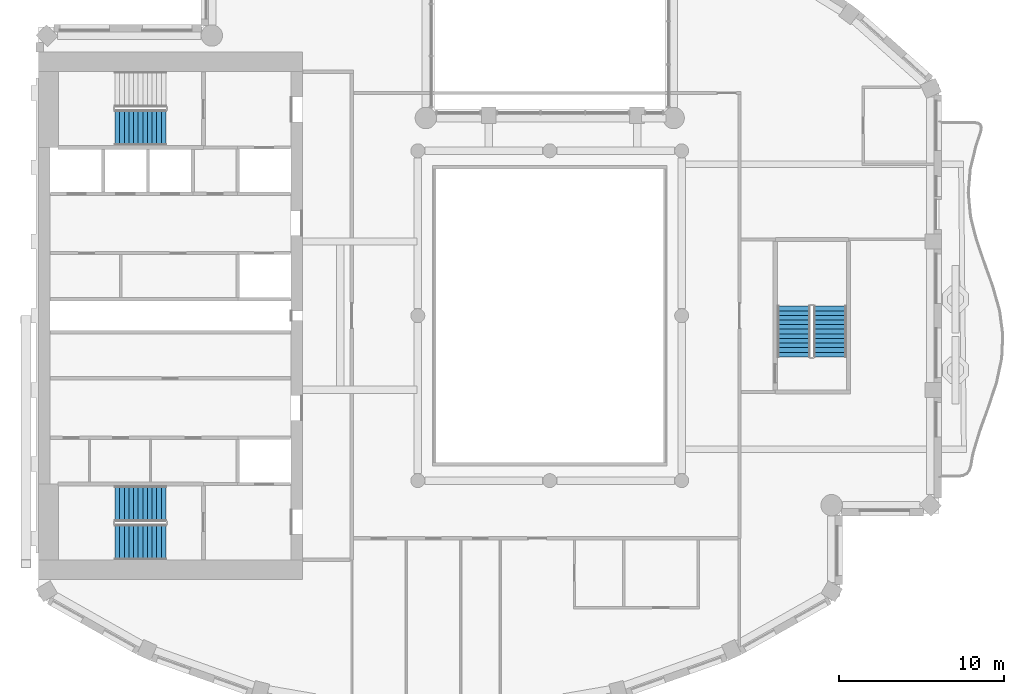
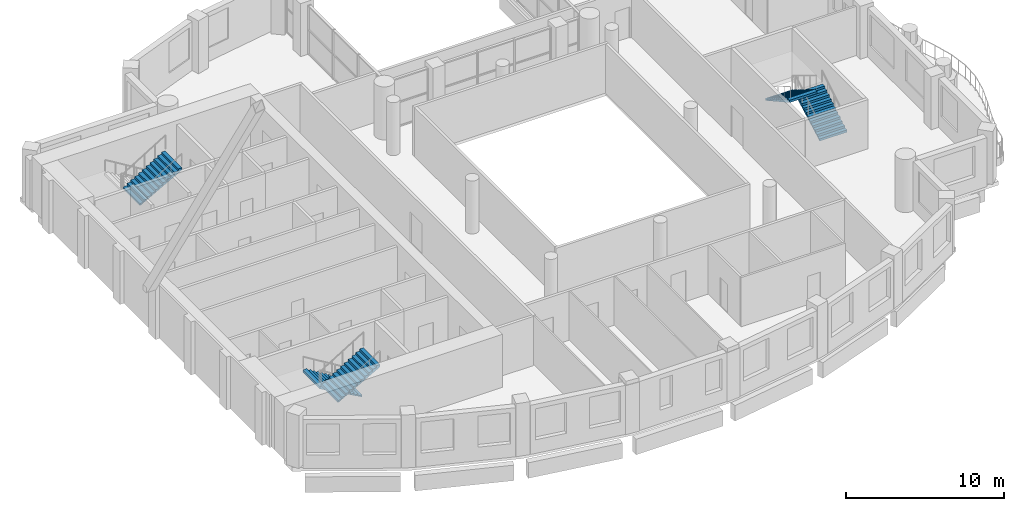
# One storey, part 9 of 15: 5 stair flights, 3 elements without a shape of their own.
"""IFC4 building model written with IfcOpenShell, lengths in metres."""

from ifc_helpers import new_model, si_unit, direction, frame, origin, place, context, subcontext, project, spatial, triangles, material, type_object, element, aggregate, save


model = new_model("IFC4")

# Units and contexts
model_context = context("Model", 3, precision=1e-05, world=origin(), true_north=direction((0.0, 1.0)))
body_context = subcontext(model_context, "Body", "Model", "MODEL_VIEW")
ifc_project = project(units=[si_unit("LENGTHUNIT", "METRE"), si_unit("AREAUNIT", "SQUARE_METRE"), si_unit("VOLUMEUNIT", "CUBIC_METRE"), si_unit("PLANEANGLEUNIT", "RADIAN"), si_unit("MASSUNIT", "GRAM", prefix="KILO")], contexts=[model_context])

# Site, building, storey
site_placement = place(None, origin())
site = spatial("IfcSite", under=ifc_project, at=site_placement, CompositionType="ELEMENT")
building_placement = place(site_placement, origin())
building = spatial("IfcBuilding", under=site, at=building_placement, Name="Cypress Arch Tower", CompositionType="ELEMENT")
storey_placement = place(building_placement, frame((0.0, 0.0, 259.800048828125)))
storey = spatial("IfcBuildingStorey", under=building, at=storey_placement, Name="L58", CompositionType="ELEMENT", Elevation=259.800048828125)

# Stair, stair flights
ifc_material_1 = material(Name="Concrete C40/50", Category="concrete")
stair_type_1 = type_object("IfcStairType", Name="Exit stair ES1708-200", PredefinedType="HALF_TURN_STAIR", material=ifc_material_1)
stair_1_placement = place(storey_placement, origin())
stair_1 = element("IfcStair", 1, at=stair_1_placement, inside=storey, type_object=stair_type_1, Name="L58 Exit stair C", PredefinedType="HALF_TURN_STAIR")
ifc_material_2 = material(Name="Concrete C40/50", Category="concrete")
stair_flight_type_1 = type_object("IfcStairFlightType", Name="Exit stair flight ES1708-200", PredefinedType="STRAIGHT", material=ifc_material_2)
stair_flight_1_placement = place(storey_placement, frame((18.0, -2.5, 0.0), z_axis=(0.0, 0.0, 1.0), x_axis=(0.0, 1.0, 0.0)))
stair_flight_1 = element("IfcStairFlight", 2, at=stair_flight_1_placement, type_object=stair_flight_type_1, Name="C flight 1", NumberOfRisers=12, NumberOfTreads=11, PredefinedType="STRAIGHT", RiserHeight=0.170833333, TreadLength=0.28, context=body_context, shape_type="Tessellation", body=[
    triangles([(0.0, -1.0, 0.0), (0.0, -1.0, 0.1708984375), (0.280029296875, -1.0, 0.1708984375), (0.280029296875, -1.0, 0.341552734375), (0.56005859375, -1.0, 0.341552734375), (0.56005859375, -1.0, 0.512451171875), (0.840087890625, -1.0, 0.512451171875), (0.840087890625, -1.0, 0.683349609375), (1.1201171875, -1.0, 0.683349609375), (1.1201171875, -1.0, 0.854248046875), (1.39990234375, -1.0, 0.854248046875), (1.39990234375, -1.0, 1.02490234375), (1.679931640625, -1.0, 1.02490234375), (1.679931640625, -1.0, 1.19580078125), (1.9599609375, -1.0, 1.19580078125), (1.9599609375, -1.0, 1.36669921875), (2.239990234375, -1.0, 1.36669921875), (2.239990234375, -1.0, 1.53759765625), (2.52001953125, -1.0, 1.53759765625), (2.52001953125, -1.0, 1.708251953125), (2.800048828125, -1.0, 1.708251953125), (2.800048828125, -1.0, 1.879150390625), (3.080078125, -1.0, 1.879150390625), (3.080078125, -1.0, 1.70361328125), (3.080078125, 1.0, 1.70361328125), (3.080078125, 1.0, 1.879150390625), (2.800048828125, 1.0, 1.879150390625), (2.800048828125, 1.0, 1.708251953125), (2.52001953125, 1.0, 1.708251953125), (2.52001953125, 1.0, 1.53759765625), (2.239990234375, 1.0, 1.53759765625), (2.239990234375, 1.0, 1.36669921875), (1.9599609375, 1.0, 1.36669921875), (1.9599609375, 1.0, 1.19580078125), (1.679931640625, 1.0, 1.19580078125), (1.679931640625, 1.0, 1.02490234375), (1.39990234375, 1.0, 1.02490234375), (1.39990234375, 1.0, 0.854248046875), (1.1201171875, 1.0, 0.854248046875), (1.1201171875, 1.0, 0.683349609375), (0.840087890625, 1.0, 0.683349609375), (0.840087890625, 1.0, 0.512451171875), (0.56005859375, 1.0, 0.512451171875), (0.56005859375, 1.0, 0.341552734375), (0.280029296875, 1.0, 0.341552734375), (0.280029296875, 1.0, 0.1708984375), (0.0, 1.0, 0.1708984375), (0.0, 1.0, 0.0), (3.080078125, 0.0, 1.879150390625), (3.080078125, 0.0, 1.70361328125), (2.800048828125, 0.0, 1.879150390625), (2.800048828125, 0.0, 1.708251953125), (2.52001953125, 0.0, 1.708251953125), (2.52001953125, 0.0, 1.53759765625), (2.239990234375, 0.0, 1.53759765625), (2.239990234375, 0.0, 1.36669921875), (1.9599609375, 0.0, 1.36669921875), (1.9599609375, 0.0, 1.19580078125), (1.679931640625, 0.0, 1.19580078125), (1.679931640625, 0.0, 1.02490234375), (1.39990234375, 0.0, 1.02490234375), (1.39990234375, 0.0, 0.854248046875), (1.1201171875, 0.0, 0.854248046875), (1.1201171875, 0.0, 0.683349609375), (0.840087890625, 0.0, 0.683349609375), (0.840087890625, 0.0, 0.512451171875), (0.56005859375, 0.0, 0.512451171875), (0.56005859375, 0.0, 0.341552734375), (0.280029296875, 0.0, 0.341552734375), (0.280029296875, 0.0, 0.1708984375), (0.0, 0.0, 0.1708984375), (0.0, 0.0, 0.0)], [[24, 23, 22], [11, 10, 9], [19, 18, 17], [17, 16, 15], [15, 14, 13], [9, 8, 7], [7, 6, 5], [3, 2, 1], [21, 20, 19], [13, 12, 11], [5, 4, 3], [24, 22, 21], [24, 21, 19], [24, 19, 17], [24, 17, 15], [24, 15, 13], [24, 13, 11], [24, 11, 9], [24, 9, 7], [24, 7, 5], [1, 24, 5], [5, 3, 1], [25, 27, 26], [38, 40, 39], [30, 32, 31], [32, 34, 33], [34, 36, 35], [40, 42, 41], [42, 44, 43], [46, 48, 47], [28, 30, 29], [36, 38, 37], [44, 46, 45], [25, 28, 27], [25, 30, 28], [25, 32, 30], [25, 34, 32], [25, 36, 34], [25, 38, 36], [25, 40, 38], [25, 42, 40], [25, 44, 42], [48, 44, 25], [44, 48, 46], [50, 49, 23], [50, 23, 24], [25, 26, 49], [25, 49, 50], [49, 51, 22], [49, 22, 23], [26, 27, 51], [26, 51, 49], [51, 52, 21], [51, 21, 22], [27, 28, 52], [27, 52, 51], [52, 53, 20], [52, 20, 21], [28, 29, 53], [28, 53, 52], [53, 54, 19], [53, 19, 20], [29, 30, 54], [29, 54, 53], [54, 55, 18], [54, 18, 19], [30, 31, 55], [30, 55, 54], [55, 56, 17], [55, 17, 18], [31, 32, 56], [31, 56, 55], [56, 57, 16], [56, 16, 17], [32, 33, 57], [32, 57, 56], [57, 58, 15], [57, 15, 16], [33, 34, 58], [33, 58, 57], [58, 59, 14], [58, 14, 15], [34, 35, 59], [34, 59, 58], [59, 60, 13], [59, 13, 14], [35, 36, 60], [35, 60, 59], [60, 61, 12], [60, 12, 13], [36, 37, 61], [36, 61, 60], [61, 62, 11], [61, 11, 12], [37, 38, 62], [37, 62, 61], [62, 63, 10], [62, 10, 11], [38, 39, 63], [38, 63, 62], [63, 64, 9], [63, 9, 10], [39, 40, 64], [39, 64, 63], [64, 65, 8], [64, 8, 9], [40, 41, 65], [40, 65, 64], [65, 66, 7], [65, 7, 8], [41, 42, 66], [41, 66, 65], [66, 67, 6], [66, 6, 7], [42, 43, 67], [42, 67, 66], [67, 68, 5], [67, 5, 6], [43, 44, 68], [43, 68, 67], [68, 69, 4], [68, 4, 5], [44, 45, 69], [44, 69, 68], [69, 70, 3], [69, 3, 4], [45, 46, 70], [45, 70, 69], [70, 71, 2], [70, 2, 3], [46, 47, 71], [46, 71, 70], [71, 72, 1], [71, 1, 2], [47, 48, 72], [47, 72, 71], [72, 50, 24], [72, 24, 1], [48, 25, 50], [48, 50, 72]], closed=True),
])
stair_flight_2_placement = place(storey_placement, frame((15.800048828125, 0.580078125, 2.050048828125), z_axis=(0.0, 0.0, 1.0), x_axis=(0.0, -1.0, 0.0)))
stair_flight_2 = element("IfcStairFlight", 3, at=stair_flight_2_placement, type_object=stair_flight_type_1, Name="C flight 2", NumberOfRisers=12, NumberOfTreads=11, PredefinedType="STRAIGHT", RiserHeight=0.170833333, TreadLength=0.28, context=body_context, shape_type="Tessellation", body=[
    triangles([(0.0, -1.0, 0.0), (0.0, -1.0, 0.1708984375), (0.280029296875, -1.0, 0.1708984375), (0.280029296875, -1.0, 0.341552734375), (0.56005859375, -1.0, 0.341552734375), (0.56005859375, -1.0, 0.512451171875), (0.840087890625, -1.0, 0.512451171875), (0.840087890625, -1.0, 0.683349609375), (1.1201171875, -1.0, 0.683349609375), (1.1201171875, -1.0, 0.854248046875), (1.39990234375, -1.0, 0.854248046875), (1.39990234375, -1.0, 1.02490234375), (1.679931640625, -1.0, 1.02490234375), (1.679931640625, -1.0, 1.19580078125), (1.9599609375, -1.0, 1.19580078125), (1.9599609375, -1.0, 1.36669921875), (2.239990234375, -1.0, 1.36669921875), (2.239990234375, -1.0, 1.53759765625), (2.52001953125, -1.0, 1.53759765625), (2.52001953125, -1.0, 1.708251953125), (2.800048828125, -1.0, 1.708251953125), (2.800048828125, -1.0, 1.879150390625), (3.080078125, -1.0, 1.879150390625), (3.080078125, -1.0, 1.70361328125), (3.080078125, 1.0, 1.70361328125), (3.080078125, 1.0, 1.879150390625), (2.800048828125, 1.0, 1.879150390625), (2.800048828125, 1.0, 1.708251953125), (2.52001953125, 1.0, 1.708251953125), (2.52001953125, 1.0, 1.53759765625), (2.239990234375, 1.0, 1.53759765625), (2.239990234375, 1.0, 1.36669921875), (1.9599609375, 1.0, 1.36669921875), (1.9599609375, 1.0, 1.19580078125), (1.679931640625, 1.0, 1.19580078125), (1.679931640625, 1.0, 1.02490234375), (1.39990234375, 1.0, 1.02490234375), (1.39990234375, 1.0, 0.854248046875), (1.1201171875, 1.0, 0.854248046875), (1.1201171875, 1.0, 0.683349609375), (0.840087890625, 1.0, 0.683349609375), (0.840087890625, 1.0, 0.512451171875), (0.56005859375, 1.0, 0.512451171875), (0.56005859375, 1.0, 0.341552734375), (0.280029296875, 1.0, 0.341552734375), (0.280029296875, 1.0, 0.1708984375), (0.0, 1.0, 0.1708984375), (0.0, 1.0, 0.0), (3.080078125, 0.0, 1.879150390625), (3.080078125, 0.0, 1.70361328125), (2.800048828125, 0.0, 1.879150390625), (2.800048828125, 0.0, 1.708251953125), (2.52001953125, 0.0, 1.708251953125), (2.52001953125, 0.0, 1.53759765625), (2.239990234375, 0.0, 1.53759765625), (2.239990234375, 0.0, 1.36669921875), (1.9599609375, 0.0, 1.36669921875), (1.9599609375, 0.0, 1.19580078125), (1.679931640625, 0.0, 1.19580078125), (1.679931640625, 0.0, 1.02490234375), (1.39990234375, 0.0, 1.02490234375), (1.39990234375, 0.0, 0.854248046875), (1.1201171875, 0.0, 0.854248046875), (1.1201171875, 0.0, 0.683349609375), (0.840087890625, 0.0, 0.683349609375), (0.840087890625, 0.0, 0.512451171875), (0.56005859375, 0.0, 0.512451171875), (0.56005859375, 0.0, 0.341552734375), (0.280029296875, 0.0, 0.341552734375), (0.280029296875, 0.0, 0.1708984375), (0.0, 0.0, 0.1708984375), (0.0, 0.0, 0.0)], [[24, 23, 22], [11, 10, 9], [19, 18, 17], [17, 16, 15], [15, 14, 13], [9, 8, 7], [7, 6, 5], [3, 2, 1], [21, 20, 19], [13, 12, 11], [5, 4, 3], [24, 22, 21], [24, 21, 19], [24, 19, 17], [24, 17, 15], [24, 15, 13], [24, 13, 11], [24, 11, 9], [24, 9, 7], [24, 7, 5], [1, 24, 5], [5, 3, 1], [25, 27, 26], [38, 40, 39], [30, 32, 31], [32, 34, 33], [34, 36, 35], [40, 42, 41], [42, 44, 43], [46, 48, 47], [28, 30, 29], [36, 38, 37], [44, 46, 45], [25, 28, 27], [25, 30, 28], [25, 32, 30], [25, 34, 32], [25, 36, 34], [25, 38, 36], [25, 40, 38], [25, 42, 40], [25, 44, 42], [48, 44, 25], [44, 48, 46], [50, 49, 23], [50, 23, 24], [25, 26, 49], [25, 49, 50], [49, 51, 22], [49, 22, 23], [26, 27, 51], [26, 51, 49], [51, 52, 21], [51, 21, 22], [27, 28, 52], [27, 52, 51], [52, 53, 20], [52, 20, 21], [28, 29, 53], [28, 53, 52], [53, 54, 19], [53, 19, 20], [29, 30, 54], [29, 54, 53], [54, 55, 18], [54, 18, 19], [30, 31, 55], [30, 55, 54], [55, 56, 17], [55, 17, 18], [31, 32, 56], [31, 56, 55], [56, 57, 16], [56, 16, 17], [32, 33, 57], [32, 57, 56], [57, 58, 15], [57, 15, 16], [33, 34, 58], [33, 58, 57], [58, 59, 14], [58, 14, 15], [34, 35, 59], [34, 59, 58], [59, 60, 13], [59, 13, 14], [35, 36, 60], [35, 60, 59], [60, 61, 12], [60, 12, 13], [36, 37, 61], [36, 61, 60], [61, 62, 11], [61, 11, 12], [37, 38, 62], [37, 62, 61], [62, 63, 10], [62, 10, 11], [38, 39, 63], [38, 63, 62], [63, 64, 9], [63, 9, 10], [39, 40, 64], [39, 64, 63], [64, 65, 8], [64, 8, 9], [40, 41, 65], [40, 65, 64], [65, 66, 7], [65, 7, 8], [41, 42, 66], [41, 66, 65], [66, 67, 6], [66, 6, 7], [42, 43, 67], [42, 67, 66], [67, 68, 5], [67, 5, 6], [43, 44, 68], [43, 68, 67], [68, 69, 4], [68, 4, 5], [44, 45, 69], [44, 69, 68], [69, 70, 3], [69, 3, 4], [45, 46, 70], [45, 70, 69], [70, 71, 2], [70, 2, 3], [46, 47, 71], [46, 71, 70], [71, 72, 1], [71, 1, 2], [47, 48, 72], [47, 72, 71], [72, 50, 24], [72, 24, 1], [48, 25, 50], [48, 50, 72]], closed=True),
])
aggregate(stair_1, [stair_flight_1, stair_flight_2])

ifc_material_3 = material(Name="Concrete C40/50", Category="concrete")
stair_type_2 = type_object("IfcStairType", Name="Exit stair ES1708-215", PredefinedType="HALF_TURN_STAIR", material=ifc_material_3)
stair_2_placement = place(storey_placement, origin())
stair_2 = element("IfcStair", 4, at=stair_2_placement, inside=storey, type_object=stair_type_2, Name="L58 Exit stair A", PredefinedType="HALF_TURN_STAIR")
ifc_material_4 = material(Name="Concrete C40/50", Category="concrete")
stair_flight_type_2 = type_object("IfcStairFlightType", Name="Exit stair flight ES1708-215", PredefinedType="STRAIGHT", material=ifc_material_4)
stair_flight_3_placement = place(storey_placement, frame((-22.27490234375, -11.39990234375, 0.0), z_axis=(0.0, 0.0, 1.0), x_axis=(-1.0, 0.0, 0.0)))
stair_flight_3 = element("IfcStairFlight", 5, at=stair_flight_3_placement, type_object=stair_flight_type_2, Name="A flight 1", NumberOfRisers=12, NumberOfTreads=11, PredefinedType="STRAIGHT", RiserHeight=0.170833333, TreadLength=0.28, context=body_context, shape_type="Tessellation", body=[
    triangles([(0.0, -1.074951171875, 0.0), (0.000244140625, -1.074951171875, 0.01904296875), (0.000244140625, -1.074951171875, 0.0380859375), (0.00048828125, -1.074951171875, 0.056884765625), (0.00048828125, -1.074951171875, 0.075927734375), (0.00048828125, -1.074951171875, 0.094970703125), (0.00048828125, -1.074951171875, 0.114013671875), (0.000244140625, -1.074951171875, 0.1328125), (0.000244140625, -1.074951171875, 0.15185546875), (0.0, -1.074951171875, 0.1708984375), (0.280029296875, -1.074951171875, 0.1708984375), (0.280029296875, -1.074951171875, 0.341552734375), (0.56005859375, -1.074951171875, 0.341552734375), (0.56005859375, -1.074951171875, 0.512451171875), (0.840087890625, -1.074951171875, 0.512451171875), (0.840087890625, -1.074951171875, 0.683349609375), (1.1201171875, -1.074951171875, 0.683349609375), (1.1201171875, -1.074951171875, 0.854248046875), (1.39990234375, -1.074951171875, 0.854248046875), (1.39990234375, -1.074951171875, 1.02490234375), (1.679931640625, -1.074951171875, 1.02490234375), (1.679931640625, -1.074951171875, 1.19580078125), (1.9599609375, -1.074951171875, 1.19580078125), (1.9599609375, -1.074951171875, 1.36669921875), (2.239990234375, -1.074951171875, 1.36669921875), (2.239990234375, -1.074951171875, 1.53759765625), (2.52001953125, -1.074951171875, 1.53759765625), (2.52001953125, -1.074951171875, 1.708251953125), (2.800048828125, -1.074951171875, 1.708251953125), (2.800048828125, -1.074951171875, 1.879150390625), (3.080078125, -1.074951171875, 1.879150390625), (3.079833984375, -1.074951171875, 1.859619140625), (3.079833984375, -1.074951171875, 1.840087890625), (3.07958984375, -1.074951171875, 1.820556640625), (3.07958984375, -1.074951171875, 1.801025390625), (3.07958984375, -1.074951171875, 1.78173828125), (3.07958984375, -1.074951171875, 1.76220703125), (3.079833984375, -1.074951171875, 1.74267578125), (3.079833984375, -1.074951171875, 1.72314453125), (3.080078125, -1.074951171875, 1.70361328125), (3.080078125, 1.074951171875, 1.70361328125), (3.079833984375, 1.074951171875, 1.72314453125), (3.079833984375, 1.074951171875, 1.74267578125), (3.07958984375, 1.074951171875, 1.76220703125), (3.07958984375, 1.074951171875, 1.78173828125), (3.07958984375, 1.074951171875, 1.801025390625), (3.07958984375, 1.074951171875, 1.820556640625), (3.079833984375, 1.074951171875, 1.840087890625), (3.079833984375, 1.074951171875, 1.859619140625), (3.080078125, 1.074951171875, 1.879150390625), (2.800048828125, 1.074951171875, 1.879150390625), (2.800048828125, 1.074951171875, 1.708251953125), (2.52001953125, 1.074951171875, 1.708251953125), (2.52001953125, 1.074951171875, 1.53759765625), (2.239990234375, 1.074951171875, 1.53759765625), (2.239990234375, 1.074951171875, 1.36669921875), (1.9599609375, 1.074951171875, 1.36669921875), (1.9599609375, 1.074951171875, 1.19580078125), (1.679931640625, 1.074951171875, 1.19580078125), (1.679931640625, 1.074951171875, 1.02490234375), (1.39990234375, 1.074951171875, 1.02490234375), (1.39990234375, 1.074951171875, 0.854248046875), (1.1201171875, 1.074951171875, 0.854248046875), (1.1201171875, 1.074951171875, 0.683349609375), (0.840087890625, 1.074951171875, 0.683349609375), (0.840087890625, 1.074951171875, 0.512451171875), (0.56005859375, 1.074951171875, 0.512451171875), (0.56005859375, 1.074951171875, 0.341552734375), (0.280029296875, 1.074951171875, 0.341552734375), (0.280029296875, 1.074951171875, 0.1708984375), (0.0, 1.074951171875, 0.1708984375), (0.000244140625, 1.074951171875, 0.15185546875), (0.000244140625, 1.074951171875, 0.1328125), (0.00048828125, 1.074951171875, 0.114013671875), (0.00048828125, 1.074951171875, 0.094970703125), (0.00048828125, 1.074951171875, 0.075927734375), (0.00048828125, 1.074951171875, 0.056884765625), (0.000244140625, 1.074951171875, 0.0380859375), (0.000244140625, 1.074951171875, 0.01904296875), (0.0, 1.074951171875, 0.0)], [[40, 39, 30], [39, 38, 30], [38, 37, 30], [37, 36, 30], [36, 35, 30], [35, 34, 30], [34, 33, 30], [33, 32, 30], [32, 31, 30], [19, 18, 17], [27, 26, 25], [25, 24, 23], [23, 22, 21], [17, 16, 15], [15, 14, 13], [10, 9, 11], [9, 8, 11], [8, 7, 11], [7, 6, 11], [6, 5, 11], [5, 4, 11], [4, 3, 11], [3, 2, 11], [2, 1, 11], [29, 28, 27], [21, 20, 19], [13, 12, 11], [40, 30, 29], [40, 29, 27], [40, 27, 25], [40, 25, 23], [40, 23, 21], [40, 21, 19], [40, 19, 17], [40, 17, 15], [40, 15, 13], [1, 40, 13], [13, 11, 1], [41, 51, 42], [42, 51, 43], [43, 51, 44], [44, 51, 45], [45, 51, 46], [46, 51, 47], [47, 51, 48], [48, 51, 49], [49, 51, 50], [62, 64, 63], [54, 56, 55], [56, 58, 57], [58, 60, 59], [64, 66, 65], [66, 68, 67], [71, 70, 72], [72, 70, 73], [73, 70, 74], [74, 70, 75], [75, 70, 76], [76, 70, 77], [77, 70, 78], [78, 70, 79], [79, 70, 80], [52, 54, 53], [60, 62, 61], [68, 70, 69], [41, 52, 51], [41, 54, 52], [41, 56, 54], [41, 58, 56], [41, 60, 58], [41, 62, 60], [41, 64, 62], [41, 66, 64], [41, 68, 66], [80, 68, 41], [68, 80, 70], [41, 42, 39], [41, 39, 40], [42, 43, 38], [42, 38, 39], [43, 44, 37], [43, 37, 38], [44, 45, 36], [44, 36, 37], [45, 46, 35], [45, 35, 36], [46, 47, 34], [46, 34, 35], [47, 48, 33], [47, 33, 34], [48, 49, 32], [48, 32, 33], [49, 50, 31], [49, 31, 32], [50, 51, 30], [50, 30, 31], [51, 52, 29], [51, 29, 30], [52, 53, 28], [52, 28, 29], [53, 54, 27], [53, 27, 28], [54, 55, 26], [54, 26, 27], [55, 56, 25], [55, 25, 26], [56, 57, 24], [56, 24, 25], [57, 58, 23], [57, 23, 24], [58, 59, 22], [58, 22, 23], [59, 60, 21], [59, 21, 22], [60, 61, 20], [60, 20, 21], [61, 62, 19], [61, 19, 20], [62, 63, 18], [62, 18, 19], [63, 64, 17], [63, 17, 18], [64, 65, 16], [64, 16, 17], [65, 66, 15], [65, 15, 16], [66, 67, 14], [66, 14, 15], [67, 68, 13], [67, 13, 14], [68, 69, 12], [68, 12, 13], [69, 70, 11], [69, 11, 12], [70, 71, 10], [70, 10, 11], [71, 72, 9], [71, 9, 10], [72, 73, 8], [72, 8, 9], [73, 74, 7], [73, 7, 8], [74, 75, 6], [74, 6, 7], [75, 76, 5], [75, 5, 6], [76, 77, 4], [76, 4, 5], [77, 78, 3], [77, 3, 4], [78, 79, 2], [78, 2, 3], [79, 80, 1], [79, 1, 2], [80, 41, 40], [80, 40, 1]], closed=True),
])
stair_flight_4_placement = place(storey_placement, frame((-25.35498046875, -13.72509765625, 2.050048828125), z_axis=(0.0, 0.0, 1.0), x_axis=(1.0, 0.0, 0.0)))
stair_flight_4 = element("IfcStairFlight", 6, at=stair_flight_4_placement, type_object=stair_flight_type_2, Name="A flight 2", NumberOfRisers=12, NumberOfTreads=11, PredefinedType="STRAIGHT", RiserHeight=0.170833333, TreadLength=0.28, context=body_context, shape_type="Tessellation", body=[
    triangles([(0.0, -1.074951171875, 0.0), (0.000244140625, -1.074951171875, 0.01904296875), (0.000244140625, -1.074951171875, 0.0380859375), (0.00048828125, -1.074951171875, 0.056884765625), (0.00048828125, -1.074951171875, 0.075927734375), (0.00048828125, -1.074951171875, 0.094970703125), (0.00048828125, -1.074951171875, 0.114013671875), (0.000244140625, -1.074951171875, 0.1328125), (0.000244140625, -1.074951171875, 0.15185546875), (0.0, -1.074951171875, 0.1708984375), (0.280029296875, -1.074951171875, 0.1708984375), (0.280029296875, -1.074951171875, 0.341552734375), (0.56005859375, -1.074951171875, 0.341552734375), (0.56005859375, -1.074951171875, 0.512451171875), (0.840087890625, -1.074951171875, 0.512451171875), (0.840087890625, -1.074951171875, 0.683349609375), (1.1201171875, -1.074951171875, 0.683349609375), (1.1201171875, -1.074951171875, 0.854248046875), (1.39990234375, -1.074951171875, 0.854248046875), (1.39990234375, -1.074951171875, 1.02490234375), (1.679931640625, -1.074951171875, 1.02490234375), (1.679931640625, -1.074951171875, 1.19580078125), (1.9599609375, -1.074951171875, 1.19580078125), (1.9599609375, -1.074951171875, 1.36669921875), (2.239990234375, -1.074951171875, 1.36669921875), (2.239990234375, -1.074951171875, 1.53759765625), (2.52001953125, -1.074951171875, 1.53759765625), (2.52001953125, -1.074951171875, 1.708251953125), (2.800048828125, -1.074951171875, 1.708251953125), (2.800048828125, -1.074951171875, 1.879150390625), (3.080078125, -1.074951171875, 1.879150390625), (3.079833984375, -1.074951171875, 1.859619140625), (3.079833984375, -1.074951171875, 1.840087890625), (3.07958984375, -1.074951171875, 1.820556640625), (3.07958984375, -1.074951171875, 1.801025390625), (3.07958984375, -1.074951171875, 1.78173828125), (3.07958984375, -1.074951171875, 1.76220703125), (3.079833984375, -1.074951171875, 1.74267578125), (3.079833984375, -1.074951171875, 1.72314453125), (3.080078125, -1.074951171875, 1.70361328125), (3.080078125, 1.074951171875, 1.70361328125), (3.079833984375, 1.074951171875, 1.72314453125), (3.079833984375, 1.074951171875, 1.74267578125), (3.07958984375, 1.074951171875, 1.76220703125), (3.07958984375, 1.074951171875, 1.78173828125), (3.07958984375, 1.074951171875, 1.801025390625), (3.07958984375, 1.074951171875, 1.820556640625), (3.079833984375, 1.074951171875, 1.840087890625), (3.079833984375, 1.074951171875, 1.859619140625), (3.080078125, 1.074951171875, 1.879150390625), (2.800048828125, 1.074951171875, 1.879150390625), (2.800048828125, 1.074951171875, 1.708251953125), (2.52001953125, 1.074951171875, 1.708251953125), (2.52001953125, 1.074951171875, 1.53759765625), (2.239990234375, 1.074951171875, 1.53759765625), (2.239990234375, 1.074951171875, 1.36669921875), (1.9599609375, 1.074951171875, 1.36669921875), (1.9599609375, 1.074951171875, 1.19580078125), (1.679931640625, 1.074951171875, 1.19580078125), (1.679931640625, 1.074951171875, 1.02490234375), (1.39990234375, 1.074951171875, 1.02490234375), (1.39990234375, 1.074951171875, 0.854248046875), (1.1201171875, 1.074951171875, 0.854248046875), (1.1201171875, 1.074951171875, 0.683349609375), (0.840087890625, 1.074951171875, 0.683349609375), (0.840087890625, 1.074951171875, 0.512451171875), (0.56005859375, 1.074951171875, 0.512451171875), (0.56005859375, 1.074951171875, 0.341552734375), (0.280029296875, 1.074951171875, 0.341552734375), (0.280029296875, 1.074951171875, 0.1708984375), (0.0, 1.074951171875, 0.1708984375), (0.000244140625, 1.074951171875, 0.15185546875), (0.000244140625, 1.074951171875, 0.1328125), (0.00048828125, 1.074951171875, 0.114013671875), (0.00048828125, 1.074951171875, 0.094970703125), (0.00048828125, 1.074951171875, 0.075927734375), (0.00048828125, 1.074951171875, 0.056884765625), (0.000244140625, 1.074951171875, 0.0380859375), (0.000244140625, 1.074951171875, 0.01904296875), (0.0, 1.074951171875, 0.0)], [[40, 39, 30], [39, 38, 30], [38, 37, 30], [37, 36, 30], [36, 35, 30], [35, 34, 30], [34, 33, 30], [33, 32, 30], [32, 31, 30], [19, 18, 17], [27, 26, 25], [25, 24, 23], [23, 22, 21], [17, 16, 15], [15, 14, 13], [10, 9, 11], [9, 8, 11], [8, 7, 11], [7, 6, 11], [6, 5, 11], [5, 4, 11], [4, 3, 11], [3, 2, 11], [2, 1, 11], [29, 28, 27], [21, 20, 19], [13, 12, 11], [40, 30, 29], [40, 29, 27], [40, 27, 25], [40, 25, 23], [40, 23, 21], [40, 21, 19], [40, 19, 17], [40, 17, 15], [40, 15, 13], [1, 40, 13], [13, 11, 1], [41, 51, 42], [42, 51, 43], [43, 51, 44], [44, 51, 45], [45, 51, 46], [46, 51, 47], [47, 51, 48], [48, 51, 49], [49, 51, 50], [62, 64, 63], [54, 56, 55], [56, 58, 57], [58, 60, 59], [64, 66, 65], [66, 68, 67], [71, 70, 72], [72, 70, 73], [73, 70, 74], [74, 70, 75], [75, 70, 76], [76, 70, 77], [77, 70, 78], [78, 70, 79], [79, 70, 80], [52, 54, 53], [60, 62, 61], [68, 70, 69], [41, 52, 51], [41, 54, 52], [41, 56, 54], [41, 58, 56], [41, 60, 58], [41, 62, 60], [41, 64, 62], [41, 66, 64], [41, 68, 66], [80, 68, 41], [68, 80, 70], [41, 42, 39], [41, 39, 40], [42, 43, 38], [42, 38, 39], [43, 44, 37], [43, 37, 38], [44, 45, 36], [44, 36, 37], [45, 46, 35], [45, 35, 36], [46, 47, 34], [46, 34, 35], [47, 48, 33], [47, 33, 34], [48, 49, 32], [48, 32, 33], [49, 50, 31], [49, 31, 32], [50, 51, 30], [50, 30, 31], [51, 52, 29], [51, 29, 30], [52, 53, 28], [52, 28, 29], [53, 54, 27], [53, 27, 28], [54, 55, 26], [54, 26, 27], [55, 56, 25], [55, 25, 26], [56, 57, 24], [56, 24, 25], [57, 58, 23], [57, 23, 24], [58, 59, 22], [58, 22, 23], [59, 60, 21], [59, 21, 22], [60, 61, 20], [60, 20, 21], [61, 62, 19], [61, 19, 20], [62, 63, 18], [62, 18, 19], [63, 64, 17], [63, 17, 18], [64, 65, 16], [64, 16, 17], [65, 66, 15], [65, 15, 16], [66, 67, 14], [66, 14, 15], [67, 68, 13], [67, 13, 14], [68, 69, 12], [68, 12, 13], [69, 70, 11], [69, 11, 12], [70, 71, 10], [70, 10, 11], [71, 72, 9], [71, 9, 10], [72, 73, 8], [72, 8, 9], [73, 74, 7], [73, 7, 8], [74, 75, 6], [74, 6, 7], [75, 76, 5], [75, 5, 6], [76, 77, 4], [76, 4, 5], [77, 78, 3], [77, 3, 4], [78, 79, 2], [78, 2, 3], [79, 80, 1], [79, 1, 2], [80, 41, 40], [80, 40, 1]], closed=True),
])
aggregate(stair_2, [stair_flight_3, stair_flight_4])

# Stair, stair flight
stair_3_placement = place(storey_placement, origin())
stair_3 = element("IfcStair", 7, at=stair_3_placement, inside=storey, type_object=stair_type_2, Name="L58 Exit stair B", PredefinedType="HALF_TURN_STAIR")
stair_flight_5_placement = place(storey_placement, frame((-25.35498046875, 11.39990234375, 2.050048828125), z_axis=(0.0, 0.0, 1.0), x_axis=(1.0, 0.0, 0.0)))
stair_flight_5 = element("IfcStairFlight", 8, at=stair_flight_5_placement, type_object=stair_flight_type_2, Name="B flight 2", NumberOfRisers=12, NumberOfTreads=11, PredefinedType="STRAIGHT", RiserHeight=0.170833333, TreadLength=0.28, context=body_context, shape_type="Tessellation", body=[
    triangles([(0.0, -1.074951171875, 0.0), (0.000244140625, -1.074951171875, 0.01904296875), (0.000244140625, -1.074951171875, 0.0380859375), (0.00048828125, -1.074951171875, 0.056884765625), (0.00048828125, -1.074951171875, 0.075927734375), (0.00048828125, -1.074951171875, 0.094970703125), (0.00048828125, -1.074951171875, 0.114013671875), (0.000244140625, -1.074951171875, 0.1328125), (0.000244140625, -1.074951171875, 0.15185546875), (0.0, -1.074951171875, 0.1708984375), (0.280029296875, -1.074951171875, 0.1708984375), (0.280029296875, -1.074951171875, 0.341552734375), (0.56005859375, -1.074951171875, 0.341552734375), (0.56005859375, -1.074951171875, 0.512451171875), (0.840087890625, -1.074951171875, 0.512451171875), (0.840087890625, -1.074951171875, 0.683349609375), (1.1201171875, -1.074951171875, 0.683349609375), (1.1201171875, -1.074951171875, 0.854248046875), (1.39990234375, -1.074951171875, 0.854248046875), (1.39990234375, -1.074951171875, 1.02490234375), (1.679931640625, -1.074951171875, 1.02490234375), (1.679931640625, -1.074951171875, 1.19580078125), (1.9599609375, -1.074951171875, 1.19580078125), (1.9599609375, -1.074951171875, 1.36669921875), (2.239990234375, -1.074951171875, 1.36669921875), (2.239990234375, -1.074951171875, 1.53759765625), (2.52001953125, -1.074951171875, 1.53759765625), (2.52001953125, -1.074951171875, 1.708251953125), (2.800048828125, -1.074951171875, 1.708251953125), (2.800048828125, -1.074951171875, 1.879150390625), (3.080078125, -1.074951171875, 1.879150390625), (3.079833984375, -1.074951171875, 1.859619140625), (3.079833984375, -1.074951171875, 1.840087890625), (3.07958984375, -1.074951171875, 1.820556640625), (3.07958984375, -1.074951171875, 1.801025390625), (3.07958984375, -1.074951171875, 1.78173828125), (3.07958984375, -1.074951171875, 1.76220703125), (3.079833984375, -1.074951171875, 1.74267578125), (3.079833984375, -1.074951171875, 1.72314453125), (3.080078125, -1.074951171875, 1.70361328125), (3.080078125, 1.074951171875, 1.70361328125), (3.079833984375, 1.074951171875, 1.72314453125), (3.079833984375, 1.074951171875, 1.74267578125), (3.07958984375, 1.074951171875, 1.76220703125), (3.07958984375, 1.074951171875, 1.78173828125), (3.07958984375, 1.074951171875, 1.801025390625), (3.07958984375, 1.074951171875, 1.820556640625), (3.079833984375, 1.074951171875, 1.840087890625), (3.079833984375, 1.074951171875, 1.859619140625), (3.080078125, 1.074951171875, 1.879150390625), (2.800048828125, 1.074951171875, 1.879150390625), (2.800048828125, 1.074951171875, 1.708251953125), (2.52001953125, 1.074951171875, 1.708251953125), (2.52001953125, 1.074951171875, 1.53759765625), (2.239990234375, 1.074951171875, 1.53759765625), (2.239990234375, 1.074951171875, 1.36669921875), (1.9599609375, 1.074951171875, 1.36669921875), (1.9599609375, 1.074951171875, 1.19580078125), (1.679931640625, 1.074951171875, 1.19580078125), (1.679931640625, 1.074951171875, 1.02490234375), (1.39990234375, 1.074951171875, 1.02490234375), (1.39990234375, 1.074951171875, 0.854248046875), (1.1201171875, 1.074951171875, 0.854248046875), (1.1201171875, 1.074951171875, 0.683349609375), (0.840087890625, 1.074951171875, 0.683349609375), (0.840087890625, 1.074951171875, 0.512451171875), (0.56005859375, 1.074951171875, 0.512451171875), (0.56005859375, 1.074951171875, 0.341552734375), (0.280029296875, 1.074951171875, 0.341552734375), (0.280029296875, 1.074951171875, 0.1708984375), (0.0, 1.074951171875, 0.1708984375), (0.000244140625, 1.074951171875, 0.15185546875), (0.000244140625, 1.074951171875, 0.1328125), (0.00048828125, 1.074951171875, 0.114013671875), (0.00048828125, 1.074951171875, 0.094970703125), (0.00048828125, 1.074951171875, 0.075927734375), (0.00048828125, 1.074951171875, 0.056884765625), (0.000244140625, 1.074951171875, 0.0380859375), (0.000244140625, 1.074951171875, 0.01904296875), (0.0, 1.074951171875, 0.0)], [[40, 39, 30], [39, 38, 30], [38, 37, 30], [37, 36, 30], [36, 35, 30], [35, 34, 30], [34, 33, 30], [33, 32, 30], [32, 31, 30], [19, 18, 17], [27, 26, 25], [25, 24, 23], [23, 22, 21], [17, 16, 15], [15, 14, 13], [10, 9, 11], [9, 8, 11], [8, 7, 11], [7, 6, 11], [6, 5, 11], [5, 4, 11], [4, 3, 11], [3, 2, 11], [2, 1, 11], [29, 28, 27], [21, 20, 19], [13, 12, 11], [40, 30, 29], [40, 29, 27], [40, 27, 25], [40, 25, 23], [40, 23, 21], [40, 21, 19], [40, 19, 17], [40, 17, 15], [40, 15, 13], [1, 40, 13], [13, 11, 1], [41, 51, 42], [42, 51, 43], [43, 51, 44], [44, 51, 45], [45, 51, 46], [46, 51, 47], [47, 51, 48], [48, 51, 49], [49, 51, 50], [62, 64, 63], [54, 56, 55], [56, 58, 57], [58, 60, 59], [64, 66, 65], [66, 68, 67], [71, 70, 72], [72, 70, 73], [73, 70, 74], [74, 70, 75], [75, 70, 76], [76, 70, 77], [77, 70, 78], [78, 70, 79], [79, 70, 80], [52, 54, 53], [60, 62, 61], [68, 70, 69], [41, 52, 51], [41, 54, 52], [41, 56, 54], [41, 58, 56], [41, 60, 58], [41, 62, 60], [41, 64, 62], [41, 66, 64], [41, 68, 66], [80, 68, 41], [68, 80, 70], [41, 42, 39], [41, 39, 40], [42, 43, 38], [42, 38, 39], [43, 44, 37], [43, 37, 38], [44, 45, 36], [44, 36, 37], [45, 46, 35], [45, 35, 36], [46, 47, 34], [46, 34, 35], [47, 48, 33], [47, 33, 34], [48, 49, 32], [48, 32, 33], [49, 50, 31], [49, 31, 32], [50, 51, 30], [50, 30, 31], [51, 52, 29], [51, 29, 30], [52, 53, 28], [52, 28, 29], [53, 54, 27], [53, 27, 28], [54, 55, 26], [54, 26, 27], [55, 56, 25], [55, 25, 26], [56, 57, 24], [56, 24, 25], [57, 58, 23], [57, 23, 24], [58, 59, 22], [58, 22, 23], [59, 60, 21], [59, 21, 22], [60, 61, 20], [60, 20, 21], [61, 62, 19], [61, 19, 20], [62, 63, 18], [62, 18, 19], [63, 64, 17], [63, 17, 18], [64, 65, 16], [64, 16, 17], [65, 66, 15], [65, 15, 16], [66, 67, 14], [66, 14, 15], [67, 68, 13], [67, 13, 14], [68, 69, 12], [68, 12, 13], [69, 70, 11], [69, 11, 12], [70, 71, 10], [70, 10, 11], [71, 72, 9], [71, 9, 10], [72, 73, 8], [72, 8, 9], [73, 74, 7], [73, 7, 8], [74, 75, 6], [74, 6, 7], [75, 76, 5], [75, 5, 6], [76, 77, 4], [76, 4, 5], [77, 78, 3], [77, 3, 4], [78, 79, 2], [78, 2, 3], [79, 80, 1], [79, 1, 2], [80, 41, 40], [80, 40, 1]], closed=True),
])
aggregate(stair_3, [stair_flight_5])

save(model, "model.ifc")
